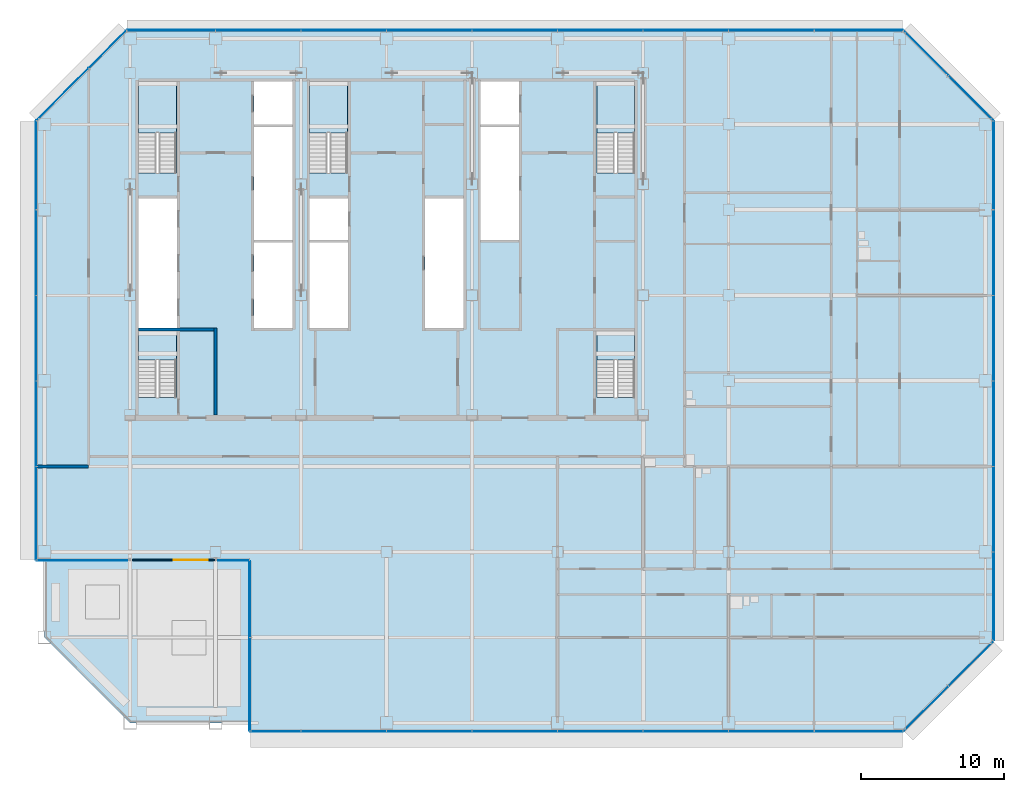
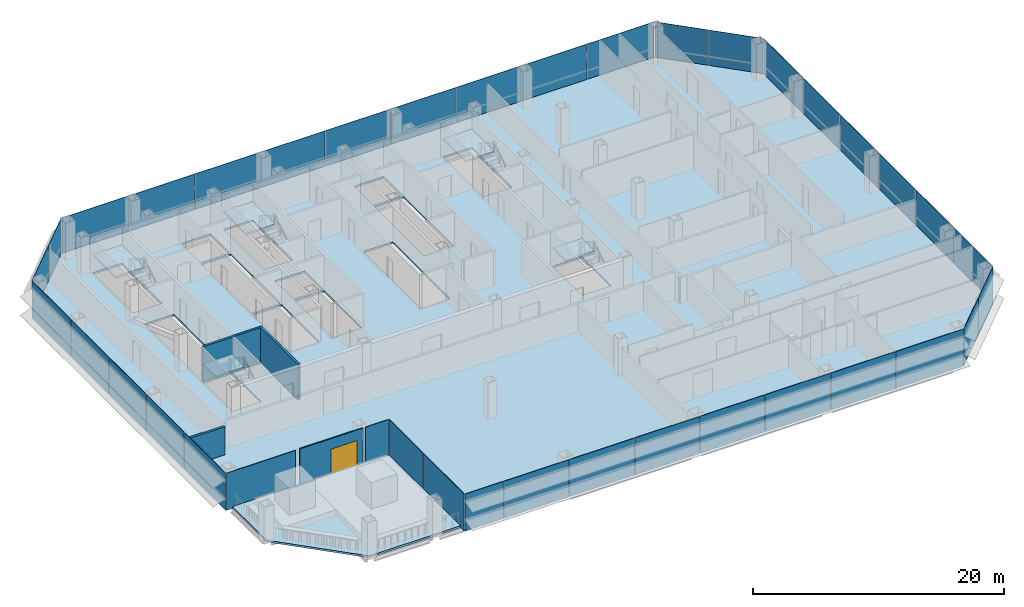
# One storey, part 19 of 28: 38 plates, 7 slabs, 4 walls, 1 door, 1 opening, 14 elements without a shape of their own.
"""IFC4 building model written with IfcOpenShell, lengths in metres."""

import ifcopenshell
import ifcopenshell.guid

model = None  # the IFC model being written
_history = None  # IfcOwnerHistory: only IFC2X3 demands one
_inside = {}  # id of a spatial element -> (the spatial element, [elements in it])
_under = {}  # id of a project, library or spatial element -> (it, [spatial elements below it])
_declared = {}  # id of a project -> (the project, [libraries it declares])
_typed = {}  # id of a type object -> (the type object, [elements of that type])
_made_of = {}  # id of a material, layer set ... -> (it, [elements and type objects made of it])


def new_model(schema):
    """Start an empty IFC model of exactly this schema.

    Asked for "IFC4X3", IfcOpenShell would pick the latest addendum, in which some entities
    have other attributes; the version numbers below select the first issue.
    IFC2X3 requires an IfcOwnerHistory on every rooted entity: one is made here for all.
    """
    global model, _history
    if schema == "IFC4X3":
        model = ifcopenshell.file(schema_version=(4, 3, 0, 0))
    else:
        model = ifcopenshell.file(schema=schema)
    _inside.clear()
    _under.clear()
    _declared.clear()
    _typed.clear()
    _made_of.clear()
    _history = None
    if model.schema == "IFC2X3":
        org = make("IfcOrganization", Name="unknown")
        user = make(
            "IfcPersonAndOrganization",
            ThePerson=make("IfcPerson", FamilyName="unknown"),
            TheOrganization=org,
        )
        app = make(
            "IfcApplication",
            ApplicationDeveloper=org,
            Version="unknown",
            ApplicationFullName="unknown",
            ApplicationIdentifier="unknown",
        )
        _history = make(
            "IfcOwnerHistory",
            OwningUser=user,
            OwningApplication=app,
            ChangeAction="ADDED",
            CreationDate=0,
        )
    return model


def make(cls, **values):
    """One entity of the class cls with the attributes given. An attribute that is None is left unset."""
    return model.create_entity(
        cls, **{name: value for name, value in values.items() if value is not None}
    )


def rooted(cls, **values):
    """An entity with a GlobalId (a new one), such as an element, a storey or a relation."""
    return make(cls, GlobalId=ifcopenshell.guid.new(), OwnerHistory=_history, **values)


def si_unit(unit_type, name, prefix=None):
    """IfcSIUnit, for example si_unit("LENGTHUNIT", "METRE", prefix="MILLI")."""
    return make("IfcSIUnit", UnitType=unit_type, Prefix=prefix, Name=name)


def assignment(units):
    """IfcUnitAssignment: the units of a project."""
    return None if units is None else make("IfcUnitAssignment", Units=units)


def point(xyz):
    """IfcCartesianPoint."""
    return None if xyz is None else make("IfcCartesianPoint", Coordinates=xyz)


def direction(xyz):
    """IfcDirection."""
    return None if xyz is None else make("IfcDirection", DirectionRatios=xyz)


def frame(location, z_axis=None, x_axis=None):
    """IfcAxis2Placement3D, a coordinate frame: its origin and axes. An axis left out is left unset."""
    return make(
        "IfcAxis2Placement3D",
        Location=point(location),
        Axis=direction(z_axis),
        RefDirection=direction(x_axis),
    )


def frame_2d(location, x_axis=None):
    """IfcAxis2Placement2D, a coordinate frame in the plane: its origin and x axis."""
    return make(
        "IfcAxis2Placement2D", Location=point(location), RefDirection=direction(x_axis)
    )


def origin():
    """The frame at (0, 0, 0) with its axes left unset."""
    return frame((0.0, 0.0, 0.0))


def origin_2d():
    """The frame at (0, 0) in the plane with its x axis left unset."""
    return frame_2d((0.0, 0.0))


def place(relative_to, where):
    """IfcLocalPlacement: puts the frame where relative to a parent placement (None: the world)."""
    return make(
        "IfcLocalPlacement", PlacementRelTo=relative_to, RelativePlacement=where
    )


def context(
    kind, dimensions, precision=None, world=None, true_north=None, identifier=None
):
    """IfcGeometricRepresentationContext, for example the 3D "Model" context."""
    return make(
        "IfcGeometricRepresentationContext",
        ContextIdentifier=identifier,
        ContextType=kind,
        CoordinateSpaceDimension=dimensions,
        Precision=precision,
        WorldCoordinateSystem=world,
        TrueNorth=true_north,
    )


def subcontext(parent, identifier, kind, view, scale=None):
    """IfcGeometricRepresentationSubContext, for example "Body" below "Model"."""
    return make(
        "IfcGeometricRepresentationSubContext",
        ContextIdentifier=identifier,
        ContextType=kind,
        ParentContext=parent,
        TargetScale=scale,
        TargetView=view,
    )


def project(units=None, contexts=None):
    """IfcProject with its units and contexts."""
    return rooted(
        "IfcProject",
        Name="project",
        RepresentationContexts=contexts,
        UnitsInContext=assignment(units),
    )


def spatial(cls, under=None, at=None, **own):
    """A site, building, storey or space (cls), placed at a placement, below another one or the project."""
    s = rooted(cls, ObjectPlacement=at, **own)
    if under is not None:
        _under.setdefault(under.id(), (under, []))[1].append(s)
    return s


def polyline(points):
    """IfcPolyline through the points."""
    return make("IfcPolyline", Points=[point(p) for p in points])


def profile(cls, at=None, kind="AREA", **sizes):
    """A parametric profile (cls). Its sizes go by their IFC names, for example OverallWidth=200.0."""
    return make(cls, ProfileType=kind, Position=at, **sizes)


def rectangle(**sizes):
    """IfcRectangleProfileDef."""
    return profile("IfcRectangleProfileDef", **sizes)


def outline(outer, holes=None, kind="AREA"):
    """IfcArbitraryClosedProfileDef: a profile drawn as a closed curve; with holes, ...WithVoids."""
    if holes is None:
        return make("IfcArbitraryClosedProfileDef", ProfileType=kind, OuterCurve=outer)
    return make(
        "IfcArbitraryProfileDefWithVoids",
        ProfileType=kind,
        OuterCurve=outer,
        InnerCurves=holes,
    )


def extrude(swept, where, along, depth):
    """IfcExtrudedAreaSolid: the profile swept, set in the frame where, extruded along a direction by depth."""
    return make(
        "IfcExtrudedAreaSolid",
        SweptArea=swept,
        Position=where,
        ExtrudedDirection=direction(along),
        Depth=depth,
    )


def shape(context_of_items, identifier, shape_type, items):
    """IfcShapeRepresentation: the items that make up one representation, for example the "Body"."""
    return make(
        "IfcShapeRepresentation",
        ContextOfItems=context_of_items,
        RepresentationIdentifier=identifier,
        RepresentationType=shape_type,
        Items=items,
    )


def material(Name=None, Category=None):
    """IfcMaterial."""
    return make("IfcMaterial", Name=Name, Category=Category)


def layer(
    of_material, thickness, ventilated=None, Name=None, Category=None, Priority=None
):
    """IfcMaterialLayer: one layer of a wall or slab, of a material (None: an air gap)."""
    return make(
        "IfcMaterialLayer",
        Material=of_material,
        LayerThickness=thickness,
        IsVentilated=ventilated,
        Name=Name,
        Category=Category,
        Priority=Priority,
    )


def layer_set(layers, Name=None):
    """IfcMaterialLayerSet."""
    return make("IfcMaterialLayerSet", MaterialLayers=layers, LayerSetName=Name)


def made_of(thing, what):
    """Note that an element or type object is made of a material, layer set ...; save() writes the relation."""
    if what is not None:
        _made_of.setdefault(what.id(), (what, []))[1].append(thing)
    return thing


def type_object(cls, material=None, **own):
    """A type object (cls), such as IfcWallType, which elements share."""
    return made_of(rooted(cls, **own), material)


def element(
    cls,
    number,
    at=None,
    inside=None,
    cuts=None,
    type_object=None,
    material=None,
    context=None,
    identifier="Body",
    shape_type=None,
    held_by="IfcProductDefinitionShape",
    body=None,
    shapes=None,
    **own,
):
    """One element of the class cls, such as IfcWall. Its Tag is "e" and its number.

    at: its placement. inside: the storey or other place that contains it. cuts: it is an
    opening in that element (IfcRelVoidsElement). A single representation is given by context,
    identifier, shape_type and body (its items); several are given by shapes. held_by: the class
    of the entity that holds the representations. save() writes the other relations.
    """
    e = rooted(cls, Tag="e%d" % number, ObjectPlacement=at, **own)
    if body is not None:
        shapes = [shape(context, identifier, shape_type, body)]
    if shapes is not None:
        e.Representation = make(held_by, Representations=shapes)
    if inside is not None:
        _inside.setdefault(inside.id(), (inside, []))[1].append(e)
    if cuts is not None:
        rooted(
            "IfcRelVoidsElement", RelatingBuildingElement=cuts, RelatedOpeningElement=e
        )
    if type_object is not None:
        _typed.setdefault(type_object.id(), (type_object, []))[1].append(e)
    return made_of(e, material)


def fill(opening, filler):
    """IfcRelFillsElement: the door or window that sits in an opening."""
    return rooted(
        "IfcRelFillsElement",
        RelatingOpeningElement=opening,
        RelatedBuildingElement=filler,
    )


def aggregate(whole, parts):
    """IfcRelAggregates: a whole, such as a stair, and the parts it consists of."""
    return rooted("IfcRelAggregates", RelatingObject=whole, RelatedObjects=parts)


def save(model, path):
    """Write the relations noted so far, then the file.

    IfcRelAggregates (storeys below a building ...), IfcRelContainedInSpatialStructure (elements
    in a storey), IfcRelDefinesByType, IfcRelAssociatesMaterial and IfcRelDeclares: one each for
    every whole, place, type object, material and project.
    """
    for whole, parts in _under.values():
        aggregate(whole, parts)
    for where, things in _inside.values():
        rooted(
            "IfcRelContainedInSpatialStructure",
            RelatedElements=things,
            RelatingStructure=where,
        )
    for kind, things in _typed.values():
        rooted("IfcRelDefinesByType", RelatedObjects=things, RelatingType=kind)
    for what, things in _made_of.values():
        rooted("IfcRelAssociatesMaterial", RelatedObjects=things, RelatingMaterial=what)
    for by, libraries in _declared.values():
        rooted("IfcRelDeclares", RelatingContext=by, RelatedDefinitions=libraries)
    model.write(path)


model = new_model("IFC4")

# Units and contexts
model_context = context("Model", 3, precision=1e-05, world=origin(), true_north=direction((0.0, 1.0)))
body_context = subcontext(model_context, "Body", "Model", "MODEL_VIEW")
ifc_project = project(units=[si_unit("LENGTHUNIT", "METRE"), si_unit("AREAUNIT", "SQUARE_METRE"), si_unit("VOLUMEUNIT", "CUBIC_METRE"), si_unit("PLANEANGLEUNIT", "RADIAN"), si_unit("MASSUNIT", "GRAM", prefix="KILO")], contexts=[model_context])

# Site, building, storey
site_placement = place(None, origin())
site = spatial("IfcSite", under=ifc_project, at=site_placement, CompositionType="ELEMENT")
building_placement = place(site_placement, origin())
building = spatial("IfcBuilding", under=site, at=building_placement, Name="Sorahane Residences", CompositionType="ELEMENT")
storey_placement = place(building_placement, frame((0.0, 0.0, 60.60009765625)))
storey = spatial("IfcBuildingStorey", under=building, at=storey_placement, Name="L11", CompositionType="ELEMENT", Elevation=60.60009765625)

# Slab
ifc_material_1 = material(Name="Concrete C35", Category="concrete")
ifc_layer_1 = layer(ifc_material_1, 0.179931640625)
ifc_layer_set_1 = layer_set([ifc_layer_1], Name="Composite floor slab 180 mm Concrete C35")
slab_type_1 = type_object("IfcSlabType", Name="Composite floor slab 180 mm Concrete C35", PredefinedType="FLOOR", material=ifc_layer_set_1)
slab_1_placement = place(storey_placement, frame((0.0, 0.0, -0.18017578125)))
element("IfcSlab", 1, at=slab_1_placement, inside=storey, type_object=slab_type_1, Name="Slab L11", PredefinedType="FLOOR", context=body_context, shape_type="SweptSolid", body=[
    extrude(outline(polyline([(-0.60009765625, 42.24853515625), (5.75146484375, 48.60009765625), (60.24853515625, 48.60009765625), (66.60009765625, 42.24853515625), (66.60009765625, 5.75146484375), (60.24853515625, -0.60009765625), (14.39990234375, -0.60009765625), (14.39990234375, 11.39990234375), (-0.60009765625, 11.39990234375), (-0.60009765625, 42.24853515625)]), holes=[polyline([(18.60009765625, 27.699951171875), (21.300048828125, 27.699951171875), (21.300048828125, 33.699951171875), (18.60009765625, 33.699951171875), (18.60009765625, 27.699951171875)]), polyline([(30.60009765625, 42.0), (33.300048828125, 42.0), (33.300048828125, 45.0), (30.60009765625, 45.0), (30.60009765625, 42.0)]), polyline([(14.699951171875, 27.699951171875), (17.39990234375, 27.699951171875), (17.39990234375, 33.699951171875), (14.699951171875, 33.699951171875), (14.699951171875, 27.699951171875)]), polyline([(14.699951171875, 42.0), (17.39990234375, 42.0), (17.39990234375, 45.0), (14.699951171875, 45.0), (14.699951171875, 42.0)]), polyline([(6.60009765625, 27.699951171875), (9.300048828125, 27.699951171875), (9.300048828125, 36.800048828125), (6.60009765625, 36.800048828125), (6.60009765625, 27.699951171875)]), polyline([(9.25, 38.60009765625), (9.25, 45.0), (6.60009765625, 45.0), (6.60009765625, 38.60009765625), (9.25, 38.60009765625)]), polyline([(41.39990234375, 38.60009765625), (41.39990234375, 45.0), (38.75, 45.0), (38.75, 38.60009765625), (41.39990234375, 38.60009765625)]), polyline([(21.25, 38.60009765625), (21.25, 45.0), (18.60009765625, 45.0), (18.60009765625, 38.60009765625), (21.25, 38.60009765625)]), polyline([(9.25, 22.85009765625), (9.25, 27.5), (6.60009765625, 27.5), (6.60009765625, 22.85009765625), (9.25, 22.85009765625)]), polyline([(41.39990234375, 22.85009765625), (41.39990234375, 27.5), (38.75, 27.5), (38.75, 22.85009765625), (41.39990234375, 22.85009765625)]), polyline([(14.699951171875, 33.89990234375), (17.39990234375, 33.89990234375), (17.39990234375, 41.800048828125), (14.699951171875, 41.800048828125), (14.699951171875, 33.89990234375)]), polyline([(30.60009765625, 33.89990234375), (33.300048828125, 33.89990234375), (33.300048828125, 41.800048828125), (30.60009765625, 41.800048828125), (30.60009765625, 33.89990234375)]), polyline([(18.60009765625, 33.89990234375), (21.300048828125, 33.89990234375), (21.300048828125, 36.800048828125), (18.60009765625, 36.800048828125), (18.60009765625, 33.89990234375)]), polyline([(26.699951171875, 27.699951171875), (29.39990234375, 27.699951171875), (29.39990234375, 36.800048828125), (26.699951171875, 36.800048828125), (26.699951171875, 27.699951171875)])]), origin(), (0.0, 0.0, 1.0), 0.18017578125),
])

# Curtain wall, plates
ifc_material_2 = material(Name="Dark low-e glass and black anodised aluminium", Category="aluminium")
curtain_wall_type_1 = type_object("IfcCurtainWallType", Name="Curtain wall CW-1 Typical unitised wall", PredefinedType="NOTDEFINED", material=ifc_material_2)
curtain_wall_1_placement = place(storey_placement, origin())
curtain_wall_1 = element("IfcCurtainWall", 2, at=curtain_wall_1_placement, inside=storey, type_object=curtain_wall_type_1, Name="CW-1 curtain wall L11 W1", PredefinedType="NOTDEFINED")
ifc_material_3 = material(Name="Dark low-e glass with black ceramic frit", Category="glass")
ifc_layer_2 = layer(ifc_material_3, 0.0400390625)
ifc_layer_set_2 = layer_set([ifc_layer_2], Name="Curtain wall glass panel dark low-e with black frit spandrel band")
plate_type = type_object("IfcPlateType", Name="Curtain wall glass panel dark low-e with black frit spandrel band", PredefinedType="CURTAIN_PANEL", material=ifc_layer_set_2)
plate_1_placement = place(storey_placement, frame((-0.60009765625, 39.11181640625, -0.18017578125), z_axis=(0.0, 0.0, 1.0), x_axis=(0.0, -1.0, 0.0)))
plate_1 = element("IfcPlate", 3, at=plate_1_placement, type_object=plate_type, Name="CW-1 glass panel L11 W1.1", PredefinedType="CURTAIN_PANEL", context=body_context, shape_type="SweptSolid", body=[
    extrude(rectangle(XDim=6.173583984375, YDim=0.0400390625, at=origin_2d()), origin(), (0.0, 0.0, 1.0), 3.60009765625),
])
plate_2_placement = place(storey_placement, frame((-0.60009765625, 33.0, -0.18017578125), z_axis=(0.0, 0.0, 1.0), x_axis=(0.0, -1.0, 0.0)))
plate_2 = element("IfcPlate", 4, at=plate_2_placement, type_object=plate_type, Name="CW-1 glass panel L11 W1.2", PredefinedType="CURTAIN_PANEL", context=body_context, shape_type="SweptSolid", body=[
    extrude(rectangle(XDim=5.949951171875, YDim=0.0400390625, at=origin_2d()), origin(), (0.0, 0.0, 1.0), 3.60009765625),
])
plate_3_placement = place(storey_placement, frame((-0.60009765625, 27.0, -0.18017578125), z_axis=(0.0, 0.0, 1.0), x_axis=(0.0, -1.0, 0.0)))
plate_3 = element("IfcPlate", 5, at=plate_3_placement, type_object=plate_type, Name="CW-1 glass panel L11 W1.3", PredefinedType="CURTAIN_PANEL", context=body_context, shape_type="SweptSolid", body=[
    extrude(rectangle(XDim=5.949951171875, YDim=0.0400390625, at=origin_2d()), origin(), (0.0, 0.0, 1.0), 3.60009765625),
])
plate_4_placement = place(storey_placement, frame((-0.60009765625, 21.0, -0.18017578125), z_axis=(0.0, 0.0, 1.0), x_axis=(0.0, -1.0, 0.0)))
plate_4 = element("IfcPlate", 6, at=plate_4_placement, type_object=plate_type, Name="CW-1 glass panel L11 W1.4", PredefinedType="CURTAIN_PANEL", context=body_context, shape_type="SweptSolid", body=[
    extrude(rectangle(XDim=5.949951171875, YDim=0.0400390625, at=origin_2d()), origin(), (0.0, 0.0, 1.0), 3.60009765625),
])
plate_5_placement = place(storey_placement, frame((-0.60009765625, 14.71240234375, -0.18017578125), z_axis=(0.0, 0.0, 1.0), x_axis=(0.0, -1.0, 0.0)))
plate_5 = element("IfcPlate", 7, at=plate_5_placement, type_object=plate_type, Name="CW-1 glass panel L11 W1.5", PredefinedType="CURTAIN_PANEL", context=body_context, shape_type="SweptSolid", body=[
    extrude(rectangle(XDim=6.52490234375, YDim=0.0400390625, at=origin_2d()), origin(), (0.0, 0.0, 1.0), 3.60009765625),
])
aggregate(curtain_wall_1, [plate_1, plate_2, plate_3, plate_4, plate_5])

curtain_wall_2_placement = place(storey_placement, origin())
curtain_wall_2 = element("IfcCurtainWall", 8, at=curtain_wall_2_placement, inside=storey, type_object=curtain_wall_type_1, Name="CW-1 curtain wall L11 S1", PredefinedType="NOTDEFINED")
plate_6_placement = place(storey_placement, frame((2.625, 11.39990234375, -0.18017578125), z_axis=(0.0, 0.0, 1.0), x_axis=(1.0, 0.0, 0.0)))
plate_6 = element("IfcPlate", 9, at=plate_6_placement, type_object=plate_type, Name="CW-1 glass panel L11 S1.1", PredefinedType="CURTAIN_PANEL", context=body_context, shape_type="SweptSolid", body=[
    extrude(rectangle(XDim=6.35009765625, YDim=0.0400390625, at=origin_2d()), origin(), (0.0, 0.0, 1.0), 3.60009765625),
])
plate_7_placement = place(storey_placement, frame((13.27490234375, 11.39990234375, -0.18017578125), z_axis=(0.0, 0.0, 1.0), x_axis=(1.0, 0.0, 0.0)))
plate_7 = element("IfcPlate", 10, at=plate_7_placement, type_object=plate_type, Name="CW-1 glass panel L11 S1.3", PredefinedType="CURTAIN_PANEL", context=body_context, shape_type="SweptSolid", body=[
    extrude(rectangle(XDim=2.14990234375, YDim=0.0400390625, at=origin_2d()), origin(), (0.0, 0.0, 1.0), 3.60009765625),
])
aggregate(curtain_wall_2, [plate_6, plate_7])

curtain_wall_3_placement = place(storey_placement, origin())
curtain_wall_3 = element("IfcCurtainWall", 11, at=curtain_wall_3_placement, inside=storey, type_object=curtain_wall_type_1, Name="CW-1 curtain wall L11 W2", PredefinedType="NOTDEFINED")
plate_8_placement = place(storey_placement, frame((14.39990234375, 8.6875, -0.18017578125), z_axis=(0.0, 0.0, 1.0), x_axis=(0.0, -1.0, 0.0)))
plate_8 = element("IfcPlate", 12, at=plate_8_placement, type_object=plate_type, Name="CW-1 glass panel L11 W2.1", PredefinedType="CURTAIN_PANEL", context=body_context, shape_type="SweptSolid", body=[
    extrude(rectangle(XDim=5.324951171875, YDim=0.0400390625, at=origin_2d()), origin(), (0.0, 0.0, 1.0), 3.60009765625),
])
plate_9_placement = place(storey_placement, frame((14.39990234375, 2.71240234375, -0.18017578125), z_axis=(0.0, 0.0, 1.0), x_axis=(0.0, -1.0, 0.0)))
plate_9 = element("IfcPlate", 13, at=plate_9_placement, type_object=plate_type, Name="CW-1 glass panel L11 W2.2", PredefinedType="CURTAIN_PANEL", context=body_context, shape_type="SweptSolid", body=[
    extrude(rectangle(XDim=6.52490234375, YDim=0.0400390625, at=origin_2d()), origin(), (0.0, 0.0, 1.0), 3.60009765625),
])
aggregate(curtain_wall_3, [plate_8, plate_9])

curtain_wall_4_placement = place(storey_placement, origin())
curtain_wall_4 = element("IfcCurtainWall", 14, at=curtain_wall_4_placement, inside=storey, type_object=curtain_wall_type_1, Name="CW-1 curtain wall L11 S2", PredefinedType="NOTDEFINED")
plate_10_placement = place(storey_placement, frame((16.21240234375, -0.60009765625, -0.18017578125), z_axis=(0.0, 0.0, 1.0), x_axis=(1.0, 0.0, 0.0)))
plate_10 = element("IfcPlate", 15, at=plate_10_placement, type_object=plate_type, Name="CW-1 glass panel L11 S2.1", PredefinedType="CURTAIN_PANEL", context=body_context, shape_type="SweptSolid", body=[
    extrude(rectangle(XDim=3.52490234375, YDim=0.0400390625, at=origin_2d()), origin(), (0.0, 0.0, 1.0), 3.60009765625),
])
plate_11_placement = place(storey_placement, frame((21.0, -0.60009765625, -0.18017578125), z_axis=(0.0, 0.0, 1.0), x_axis=(1.0, 0.0, 0.0)))
plate_11 = element("IfcPlate", 16, at=plate_11_placement, type_object=plate_type, Name="CW-1 glass panel L11 S2.2", PredefinedType="CURTAIN_PANEL", context=body_context, shape_type="SweptSolid", body=[
    extrude(rectangle(XDim=5.949951171875, YDim=0.0400390625, at=origin_2d()), origin(), (0.0, 0.0, 1.0), 3.60009765625),
])
plate_12_placement = place(storey_placement, frame((27.0, -0.60009765625, -0.18017578125), z_axis=(0.0, 0.0, 1.0), x_axis=(1.0, 0.0, 0.0)))
plate_12 = element("IfcPlate", 17, at=plate_12_placement, type_object=plate_type, Name="CW-1 glass panel L11 S2.3", PredefinedType="CURTAIN_PANEL", context=body_context, shape_type="SweptSolid", body=[
    extrude(rectangle(XDim=5.949951171875, YDim=0.0400390625, at=origin_2d()), origin(), (0.0, 0.0, 1.0), 3.60009765625),
])
plate_13_placement = place(storey_placement, frame((33.0, -0.60009765625, -0.18017578125), z_axis=(0.0, 0.0, 1.0), x_axis=(1.0, 0.0, 0.0)))
plate_13 = element("IfcPlate", 18, at=plate_13_placement, type_object=plate_type, Name="CW-1 glass panel L11 S2.4", PredefinedType="CURTAIN_PANEL", context=body_context, shape_type="SweptSolid", body=[
    extrude(rectangle(XDim=5.949951171875, YDim=0.0400390625, at=origin_2d()), origin(), (0.0, 0.0, 1.0), 3.60009765625),
])
plate_14_placement = place(storey_placement, frame((39.0, -0.60009765625, -0.18017578125), z_axis=(0.0, 0.0, 1.0), x_axis=(1.0, 0.0, 0.0)))
plate_14 = element("IfcPlate", 19, at=plate_14_placement, type_object=plate_type, Name="CW-1 glass panel L11 S2.5", PredefinedType="CURTAIN_PANEL", context=body_context, shape_type="SweptSolid", body=[
    extrude(rectangle(XDim=5.949951171875, YDim=0.0400390625, at=origin_2d()), origin(), (0.0, 0.0, 1.0), 3.60009765625),
])
plate_15_placement = place(storey_placement, frame((45.0, -0.60009765625, -0.18017578125), z_axis=(0.0, 0.0, 1.0), x_axis=(1.0, 0.0, 0.0)))
plate_15 = element("IfcPlate", 20, at=plate_15_placement, type_object=plate_type, Name="CW-1 glass panel L11 S2.6", PredefinedType="CURTAIN_PANEL", context=body_context, shape_type="SweptSolid", body=[
    extrude(rectangle(XDim=5.949951171875, YDim=0.0400390625, at=origin_2d()), origin(), (0.0, 0.0, 1.0), 3.60009765625),
])
plate_16_placement = place(storey_placement, frame((51.0, -0.60009765625, -0.18017578125), z_axis=(0.0, 0.0, 1.0), x_axis=(1.0, 0.0, 0.0)))
plate_16 = element("IfcPlate", 21, at=plate_16_placement, type_object=plate_type, Name="CW-1 glass panel L11 S2.7", PredefinedType="CURTAIN_PANEL", context=body_context, shape_type="SweptSolid", body=[
    extrude(rectangle(XDim=5.949951171875, YDim=0.0400390625, at=origin_2d()), origin(), (0.0, 0.0, 1.0), 3.60009765625),
])
plate_17_placement = place(storey_placement, frame((57.11181640625, -0.60009765625, -0.18017578125), z_axis=(0.0, 0.0, 1.0), x_axis=(1.0, 0.0, 0.0)))
plate_17 = element("IfcPlate", 22, at=plate_17_placement, type_object=plate_type, Name="CW-1 glass panel L11 S2.8", PredefinedType="CURTAIN_PANEL", context=body_context, shape_type="SweptSolid", body=[
    extrude(rectangle(XDim=6.173583984375, YDim=0.0400390625, at=origin_2d()), origin(), (0.0, 0.0, 1.0), 3.60009765625),
])
aggregate(curtain_wall_4, [plate_10, plate_11, plate_12, plate_13, plate_14, plate_15, plate_16, plate_17])

ifc_material_4 = material(Name="Dark low-e glass and black anodised aluminium", Category="aluminium")
curtain_wall_type_2 = type_object("IfcCurtainWallType", Name="Curtain wall CW-2 Chamfer unitised wall", PredefinedType="NOTDEFINED", material=ifc_material_4)
curtain_wall_5_placement = place(storey_placement, origin())
curtain_wall_5 = element("IfcCurtainWall", 23, at=curtain_wall_5_placement, inside=storey, type_object=curtain_wall_type_2, Name="CW-2 curtain wall L11 SE1", PredefinedType="NOTDEFINED")
plate_18_placement = place(storey_placement, frame((61.84521484375, 0.996826171875, -0.18017578125), z_axis=(0.0, 0.0, 1.0), x_axis=(0.707106781187, 0.707106781187, 0.0)))
plate_18 = element("IfcPlate", 24, at=plate_18_placement, type_object=plate_type, Name="CW-2 glass panel L11 SE1.1", PredefinedType="CURTAIN_PANEL", context=body_context, shape_type="SweptSolid", body=[
    extrude(rectangle(XDim=4.416259765625, YDim=0.0400390625, at=origin_2d()), origin(), (0.0, 0.0, 1.0), 3.60009765625),
])
plate_19_placement = place(storey_placement, frame((65.003173828125, 4.15478515625, -0.18017578125), z_axis=(0.0, 0.0, 1.0), x_axis=(0.707106781187, 0.707106781187, 0.0)))
plate_19 = element("IfcPlate", 25, at=plate_19_placement, type_object=plate_type, Name="CW-2 glass panel L11 SE1.2", PredefinedType="CURTAIN_PANEL", context=body_context, shape_type="SweptSolid", body=[
    extrude(rectangle(XDim=4.416259765625, YDim=0.0400390625, at=origin_2d()), origin(), (0.0, 0.0, 1.0), 3.60009765625),
])
aggregate(curtain_wall_5, [plate_18, plate_19])

curtain_wall_6_placement = place(storey_placement, origin())
curtain_wall_6 = element("IfcCurtainWall", 26, at=curtain_wall_6_placement, inside=storey, type_object=curtain_wall_type_1, Name="CW-1 curtain wall L11 E1", PredefinedType="NOTDEFINED")
plate_20_placement = place(storey_placement, frame((66.60009765625, 8.88818359375, -0.18017578125), z_axis=(0.0, 0.0, 1.0), x_axis=(0.0, 1.0, 0.0)))
plate_20 = element("IfcPlate", 27, at=plate_20_placement, type_object=plate_type, Name="CW-1 glass panel L11 E1.1", PredefinedType="CURTAIN_PANEL", context=body_context, shape_type="SweptSolid", body=[
    extrude(rectangle(XDim=6.173583984375, YDim=0.0400390625, at=origin_2d()), origin(), (0.0, 0.0, 1.0), 3.60009765625),
])
plate_21_placement = place(storey_placement, frame((66.60009765625, 15.0, -0.18017578125), z_axis=(0.0, 0.0, 1.0), x_axis=(0.0, 1.0, 0.0)))
plate_21 = element("IfcPlate", 28, at=plate_21_placement, type_object=plate_type, Name="CW-1 glass panel L11 E1.2", PredefinedType="CURTAIN_PANEL", context=body_context, shape_type="SweptSolid", body=[
    extrude(rectangle(XDim=5.949951171875, YDim=0.0400390625, at=origin_2d()), origin(), (0.0, 0.0, 1.0), 3.60009765625),
])
plate_22_placement = place(storey_placement, frame((66.60009765625, 21.0, -0.18017578125), z_axis=(0.0, 0.0, 1.0), x_axis=(0.0, 1.0, 0.0)))
plate_22 = element("IfcPlate", 29, at=plate_22_placement, type_object=plate_type, Name="CW-1 glass panel L11 E1.3", PredefinedType="CURTAIN_PANEL", context=body_context, shape_type="SweptSolid", body=[
    extrude(rectangle(XDim=5.949951171875, YDim=0.0400390625, at=origin_2d()), origin(), (0.0, 0.0, 1.0), 3.60009765625),
])
plate_23_placement = place(storey_placement, frame((66.60009765625, 27.0, -0.18017578125), z_axis=(0.0, 0.0, 1.0), x_axis=(0.0, 1.0, 0.0)))
plate_23 = element("IfcPlate", 30, at=plate_23_placement, type_object=plate_type, Name="CW-1 glass panel L11 E1.4", PredefinedType="CURTAIN_PANEL", context=body_context, shape_type="SweptSolid", body=[
    extrude(rectangle(XDim=5.949951171875, YDim=0.0400390625, at=origin_2d()), origin(), (0.0, 0.0, 1.0), 3.60009765625),
])
plate_24_placement = place(storey_placement, frame((66.60009765625, 33.0, -0.18017578125), z_axis=(0.0, 0.0, 1.0), x_axis=(0.0, 1.0, 0.0)))
plate_24 = element("IfcPlate", 31, at=plate_24_placement, type_object=plate_type, Name="CW-1 glass panel L11 E1.5", PredefinedType="CURTAIN_PANEL", context=body_context, shape_type="SweptSolid", body=[
    extrude(rectangle(XDim=5.949951171875, YDim=0.0400390625, at=origin_2d()), origin(), (0.0, 0.0, 1.0), 3.60009765625),
])
plate_25_placement = place(storey_placement, frame((66.60009765625, 39.11181640625, -0.18017578125), z_axis=(0.0, 0.0, 1.0), x_axis=(0.0, 1.0, 0.0)))
plate_25 = element("IfcPlate", 32, at=plate_25_placement, type_object=plate_type, Name="CW-1 glass panel L11 E1.6", PredefinedType="CURTAIN_PANEL", context=body_context, shape_type="SweptSolid", body=[
    extrude(rectangle(XDim=6.173583984375, YDim=0.0400390625, at=origin_2d()), origin(), (0.0, 0.0, 1.0), 3.60009765625),
])
aggregate(curtain_wall_6, [plate_20, plate_21, plate_22, plate_23, plate_24, plate_25])

curtain_wall_7_placement = place(storey_placement, origin())
curtain_wall_7 = element("IfcCurtainWall", 33, at=curtain_wall_7_placement, inside=storey, type_object=curtain_wall_type_2, Name="CW-2 curtain wall L11 NE1", PredefinedType="NOTDEFINED")
plate_26_placement = place(storey_placement, frame((65.003173828125, 43.84521484375, -0.18017578125), z_axis=(0.0, 0.0, 1.0), x_axis=(-0.707106781187, 0.707106781187, 0.0)))
plate_26 = element("IfcPlate", 34, at=plate_26_placement, type_object=plate_type, Name="CW-2 glass panel L11 NE1.1", PredefinedType="CURTAIN_PANEL", context=body_context, shape_type="SweptSolid", body=[
    extrude(rectangle(XDim=4.416259765625, YDim=0.0400390625, at=origin_2d()), origin(), (0.0, 0.0, 1.0), 3.60009765625),
])
plate_27_placement = place(storey_placement, frame((61.84521484375, 47.003173828125, -0.18017578125), z_axis=(0.0, 0.0, 1.0), x_axis=(-0.707106781187, 0.707106781187, 0.0)))
plate_27 = element("IfcPlate", 35, at=plate_27_placement, type_object=plate_type, Name="CW-2 glass panel L11 NE1.2", PredefinedType="CURTAIN_PANEL", context=body_context, shape_type="SweptSolid", body=[
    extrude(rectangle(XDim=4.416259765625, YDim=0.0400390625, at=origin_2d()), origin(), (0.0, 0.0, 1.0), 3.60009765625),
])
aggregate(curtain_wall_7, [plate_26, plate_27])

curtain_wall_8_placement = place(storey_placement, origin())
curtain_wall_8 = element("IfcCurtainWall", 36, at=curtain_wall_8_placement, inside=storey, type_object=curtain_wall_type_1, Name="CW-1 curtain wall L11 N1", PredefinedType="NOTDEFINED")
plate_28_placement = place(storey_placement, frame((57.11181640625, 48.60009765625, -0.18017578125), z_axis=(0.0, 0.0, 1.0), x_axis=(-1.0, 0.0, 0.0)))
plate_28 = element("IfcPlate", 37, at=plate_28_placement, type_object=plate_type, Name="CW-1 glass panel L11 N1.1", PredefinedType="CURTAIN_PANEL", context=body_context, shape_type="SweptSolid", body=[
    extrude(rectangle(XDim=6.173583984375, YDim=0.0400390625, at=origin_2d()), origin(), (0.0, 0.0, 1.0), 3.60009765625),
])
plate_29_placement = place(storey_placement, frame((51.0, 48.60009765625, -0.18017578125), z_axis=(0.0, 0.0, 1.0), x_axis=(-1.0, 0.0, 0.0)))
plate_29 = element("IfcPlate", 38, at=plate_29_placement, type_object=plate_type, Name="CW-1 glass panel L11 N1.2", PredefinedType="CURTAIN_PANEL", context=body_context, shape_type="SweptSolid", body=[
    extrude(rectangle(XDim=5.949951171875, YDim=0.0400390625, at=origin_2d()), origin(), (0.0, 0.0, 1.0), 3.60009765625),
])
plate_30_placement = place(storey_placement, frame((45.0, 48.60009765625, -0.18017578125), z_axis=(0.0, 0.0, 1.0), x_axis=(-1.0, 0.0, 0.0)))
plate_30 = element("IfcPlate", 39, at=plate_30_placement, type_object=plate_type, Name="CW-1 glass panel L11 N1.3", PredefinedType="CURTAIN_PANEL", context=body_context, shape_type="SweptSolid", body=[
    extrude(rectangle(XDim=5.949951171875, YDim=0.0400390625, at=origin_2d()), origin(), (0.0, 0.0, 1.0), 3.60009765625),
])
plate_31_placement = place(storey_placement, frame((39.0, 48.60009765625, -0.18017578125), z_axis=(0.0, 0.0, 1.0), x_axis=(-1.0, 0.0, 0.0)))
plate_31 = element("IfcPlate", 40, at=plate_31_placement, type_object=plate_type, Name="CW-1 glass panel L11 N1.4", PredefinedType="CURTAIN_PANEL", context=body_context, shape_type="SweptSolid", body=[
    extrude(rectangle(XDim=5.949951171875, YDim=0.0400390625, at=origin_2d()), origin(), (0.0, 0.0, 1.0), 3.60009765625),
])
plate_32_placement = place(storey_placement, frame((33.0, 48.60009765625, -0.18017578125), z_axis=(0.0, 0.0, 1.0), x_axis=(-1.0, 0.0, 0.0)))
plate_32 = element("IfcPlate", 41, at=plate_32_placement, type_object=plate_type, Name="CW-1 glass panel L11 N1.5", PredefinedType="CURTAIN_PANEL", context=body_context, shape_type="SweptSolid", body=[
    extrude(rectangle(XDim=5.949951171875, YDim=0.0400390625, at=origin_2d()), origin(), (0.0, 0.0, 1.0), 3.60009765625),
])
plate_33_placement = place(storey_placement, frame((27.0, 48.60009765625, -0.18017578125), z_axis=(0.0, 0.0, 1.0), x_axis=(-1.0, 0.0, 0.0)))
plate_33 = element("IfcPlate", 42, at=plate_33_placement, type_object=plate_type, Name="CW-1 glass panel L11 N1.6", PredefinedType="CURTAIN_PANEL", context=body_context, shape_type="SweptSolid", body=[
    extrude(rectangle(XDim=5.949951171875, YDim=0.0400390625, at=origin_2d()), origin(), (0.0, 0.0, 1.0), 3.60009765625),
])
plate_34_placement = place(storey_placement, frame((21.0, 48.60009765625, -0.18017578125), z_axis=(0.0, 0.0, 1.0), x_axis=(-1.0, 0.0, 0.0)))
plate_34 = element("IfcPlate", 43, at=plate_34_placement, type_object=plate_type, Name="CW-1 glass panel L11 N1.7", PredefinedType="CURTAIN_PANEL", context=body_context, shape_type="SweptSolid", body=[
    extrude(rectangle(XDim=5.949951171875, YDim=0.0400390625, at=origin_2d()), origin(), (0.0, 0.0, 1.0), 3.60009765625),
])
plate_35_placement = place(storey_placement, frame((15.0, 48.60009765625, -0.18017578125), z_axis=(0.0, 0.0, 1.0), x_axis=(-1.0, 0.0, 0.0)))
plate_35 = element("IfcPlate", 44, at=plate_35_placement, type_object=plate_type, Name="CW-1 glass panel L11 N1.8", PredefinedType="CURTAIN_PANEL", context=body_context, shape_type="SweptSolid", body=[
    extrude(rectangle(XDim=5.949951171875, YDim=0.0400390625, at=origin_2d()), origin(), (0.0, 0.0, 1.0), 3.60009765625),
])
plate_36_placement = place(storey_placement, frame((8.88818359375, 48.60009765625, -0.18017578125), z_axis=(0.0, 0.0, 1.0), x_axis=(-1.0, 0.0, 0.0)))
plate_36 = element("IfcPlate", 45, at=plate_36_placement, type_object=plate_type, Name="CW-1 glass panel L11 N1.9", PredefinedType="CURTAIN_PANEL", context=body_context, shape_type="SweptSolid", body=[
    extrude(rectangle(XDim=6.173583984375, YDim=0.0400390625, at=origin_2d()), origin(), (0.0, 0.0, 1.0), 3.60009765625),
])
aggregate(curtain_wall_8, [plate_28, plate_29, plate_30, plate_31, plate_32, plate_33, plate_34, plate_35, plate_36])

curtain_wall_9_placement = place(storey_placement, origin())
curtain_wall_9 = element("IfcCurtainWall", 46, at=curtain_wall_9_placement, inside=storey, type_object=curtain_wall_type_2, Name="CW-2 curtain wall L11 NW1", PredefinedType="NOTDEFINED")
plate_37_placement = place(storey_placement, frame((4.4169921875, 47.265625, -0.18017578125), z_axis=(0.0, 0.0, 1.0), x_axis=(-0.707106781187, -0.707106781187, 0.0)))
plate_37 = element("IfcPlate", 47, at=plate_37_placement, type_object=plate_type, Name="CW-2 glass panel L11 NW1.1", PredefinedType="CURTAIN_PANEL", context=body_context, shape_type="SweptSolid", body=[
    extrude(rectangle(XDim=3.67431640625, YDim=0.0400390625, at=origin_2d()), origin(), (0.0, 0.0, 1.0), 3.60009765625),
])
plate_38_placement = place(storey_placement, frame((1.259033203125, 44.107421875, -0.18017578125), z_axis=(0.0, 0.0, 1.0), x_axis=(-0.707106781187, -0.707106781187, 0.0)))
plate_38 = element("IfcPlate", 48, at=plate_38_placement, type_object=plate_type, Name="CW-2 glass panel L11 NW1.2", PredefinedType="CURTAIN_PANEL", context=body_context, shape_type="SweptSolid", body=[
    extrude(rectangle(XDim=5.157958984375, YDim=0.0400390625, at=origin_2d()), origin(), (0.0, 0.0, 1.0), 3.60009765625),
])
aggregate(curtain_wall_9, [plate_37, plate_38])

# Stair, slab
ifc_material_5 = material(Name="Concrete C40", Category="concrete")
stair_type = type_object("IfcStairType", Name="Dog-leg stair 1250 Concrete C40", PredefinedType="HALF_TURN_STAIR", material=ifc_material_5)
stair_1_placement = place(storey_placement, origin())
stair_1 = element("IfcStair", 49, at=stair_1_placement, inside=storey, type_object=stair_type, Name="L11 Stair S1", PredefinedType="HALF_TURN_STAIR")
ifc_material_6 = material(Name="Concrete C40", Category="concrete")
ifc_layer_3 = layer(ifc_material_6, 0.199951171875)
ifc_layer_set_3 = layer_set([ifc_layer_3], Name="Stair landing 200 Concrete C40")
slab_type_2 = type_object("IfcSlabType", Name="Stair landing 200 Concrete C40", PredefinedType="LANDING", material=ifc_layer_set_3)
slab_2_placement = place(storey_placement, frame((0.0, 0.0, 1.599853515625)))
slab_2 = element("IfcSlab", 50, at=slab_2_placement, type_object=slab_type_2, Name="S1 landing 1", PredefinedType="LANDING", context=body_context, shape_type="SweptSolid", body=[
    extrude(outline(polyline([(9.25, 41.39990234375), (9.25, 45.0), (6.60009765625, 45.0), (6.60009765625, 41.39990234375), (9.25, 41.39990234375)])), origin(), (0.0, 0.0, 1.0), 0.199951171875),
])
aggregate(stair_1, [slab_2])

stair_2_placement = place(storey_placement, origin())
stair_2 = element("IfcStair", 51, at=stair_2_placement, inside=storey, type_object=stair_type, Name="L11 Stair S2", PredefinedType="HALF_TURN_STAIR")
slab_3_placement = place(storey_placement, frame((0.0, 0.0, 1.599853515625)))
slab_3 = element("IfcSlab", 52, at=slab_3_placement, type_object=slab_type_2, Name="S2 landing 1", PredefinedType="LANDING", context=body_context, shape_type="SweptSolid", body=[
    extrude(outline(polyline([(41.39990234375, 41.39990234375), (41.39990234375, 45.0), (38.75, 45.0), (38.75, 41.39990234375), (41.39990234375, 41.39990234375)])), origin(), (0.0, 0.0, 1.0), 0.199951171875),
])
aggregate(stair_2, [slab_3])

stair_3_placement = place(storey_placement, origin())
stair_3 = element("IfcStair", 53, at=stair_3_placement, inside=storey, type_object=stair_type, Name="L11 Stair S3", PredefinedType="HALF_TURN_STAIR")
slab_4_placement = place(storey_placement, frame((0.0, 0.0, 1.599853515625)))
slab_4 = element("IfcSlab", 54, at=slab_4_placement, type_object=slab_type_2, Name="S3 landing 1", PredefinedType="LANDING", context=body_context, shape_type="SweptSolid", body=[
    extrude(outline(polyline([(21.25, 41.39990234375), (21.25, 45.0), (18.60009765625, 45.0), (18.60009765625, 41.39990234375), (21.25, 41.39990234375)])), origin(), (0.0, 0.0, 1.0), 0.199951171875),
])
aggregate(stair_3, [slab_4])

stair_4_placement = place(storey_placement, origin())
stair_4 = element("IfcStair", 55, at=stair_4_placement, inside=storey, type_object=stair_type, Name="L11 Stair S4", PredefinedType="HALF_TURN_STAIR")
slab_5_placement = place(storey_placement, frame((0.0, 0.0, 1.599853515625)))
slab_5 = element("IfcSlab", 56, at=slab_5_placement, type_object=slab_type_2, Name="S4 landing 1", PredefinedType="LANDING", context=body_context, shape_type="SweptSolid", body=[
    extrude(outline(polyline([(9.25, 25.449951171875), (9.25, 27.5), (6.60009765625, 27.5), (6.60009765625, 25.449951171875), (9.25, 25.449951171875)])), origin(), (0.0, 0.0, 1.0), 0.199951171875),
])
aggregate(stair_4, [slab_5])

stair_5_placement = place(storey_placement, origin())
stair_5 = element("IfcStair", 57, at=stair_5_placement, inside=storey, type_object=stair_type, Name="L11 Stair S5", PredefinedType="HALF_TURN_STAIR")
slab_6_placement = place(storey_placement, frame((0.0, 0.0, 1.599853515625)))
slab_6 = element("IfcSlab", 58, at=slab_6_placement, type_object=slab_type_2, Name="S5 landing 1", PredefinedType="LANDING", context=body_context, shape_type="SweptSolid", body=[
    extrude(outline(polyline([(41.39990234375, 25.449951171875), (41.39990234375, 27.5), (38.75, 27.5), (38.75, 25.449951171875), (41.39990234375, 25.449951171875)])), origin(), (0.0, 0.0, 1.0), 0.199951171875),
])
aggregate(stair_5, [slab_6])

# Slab
ifc_material_7 = material(Name="Concrete C35", Category="concrete")
ifc_layer_4 = layer(ifc_material_7, 0.179931640625)
ifc_layer_set_4 = layer_set([ifc_layer_4], Name="Terrace slab Concrete C35 paved")
slab_type_3 = type_object("IfcSlabType", Name="Terrace slab Concrete C35 paved", PredefinedType="FLOOR", material=ifc_layer_set_4)
slab_7_placement = place(storey_placement, frame((0.0, 0.0, -0.18017578125)))
element("IfcSlab", 59, at=slab_7_placement, inside=storey, type_object=slab_type_3, Name="Terrace slab L11.1", PredefinedType="FLOOR", context=body_context, shape_type="SweptSolid", body=[
    extrude(outline(polyline([(6.0, 0.0), (0.0, 6.0), (0.0, 11.39990234375), (14.39990234375, 11.39990234375), (14.39990234375, 0.0), (6.0, 0.0)])), origin(), (0.0, 0.0, 1.0), 0.18017578125),
])

# Walls
ifc_material_8 = material(Name="Concrete blockwork C20 wall", Category="masonry")
ifc_layer_5 = layer(ifc_material_8, 0.199951171875)
ifc_layer_set_5 = layer_set([ifc_layer_5], Name="Corridor wall 200 EI 120")
wall_type_1 = type_object("IfcWallType", Name="Corridor wall 200 EI 120", PredefinedType="SOLIDWALL", material=ifc_layer_set_5)
wall_1_placement = place(storey_placement, frame((-0.60009765625, 18.0, 0.0), z_axis=(0.0, 0.0, 1.0), x_axis=(1.0, 0.0, 0.0)))
element("IfcWall", 60, at=wall_1_placement, inside=storey, type_object=wall_type_1, Name="L11 corridor wall", PredefinedType="SOLIDWALL", context=body_context, shape_type="SweptSolid", body=[
    extrude(rectangle(XDim=3.697998046875, YDim=0.199951171875, at=frame_2d((1.84912109375, 0.0))), origin(), (0.0, 0.0, 1.0), 2.719970703125),
])
ifc_material_9 = material(Name="Concrete C30", Category="concrete")
ifc_layer_6 = layer(ifc_material_9, 0.199951171875)
ifc_layer_set_6 = layer_set([ifc_layer_6], Name="Front room wall 200 EI 120")
wall_type_2 = type_object("IfcWallType", Name="Front room wall 200 EI 120", PredefinedType="PARTITIONING", material=ifc_layer_set_6)
wall_2_placement = place(storey_placement, frame((12.0, 21.60009765625, 0.0), z_axis=(0.0, 0.0, 1.0), x_axis=(0.0, 1.0, 0.0)))
element("IfcWall", 61, at=wall_2_placement, inside=storey, type_object=wall_type_2, Name="L11 front room wall", PredefinedType="PARTITIONING", context=body_context, shape_type="SweptSolid", body=[
    extrude(rectangle(XDim=6.099853515625, YDim=0.199951171875, at=frame_2d((3.0498046875, 0.0))), origin(), (0.0, 0.0, 1.0), 3.419921875),
])

# Wall, opening, door
ifc_material_10 = material(Name="Toughened low-iron glass", Category="glass")
ifc_layer_7 = layer(ifc_material_10, 0.10009765625)
ifc_layer_set_7 = layer_set([ifc_layer_7], Name="Glazed door screen toughened low-iron glass 100")
wall_type_3 = type_object("IfcWallType", Name="Glazed door screen toughened low-iron glass 100", PredefinedType="SOLIDWALL", material=ifc_layer_set_7)
wall_3_placement = place(storey_placement, frame((6.199951171875, 11.429931640625, 0.0), z_axis=(0.0, 0.0, 1.0), x_axis=(1.0, 0.0, 0.0)))
wall_3 = element("IfcWall", 62, at=wall_3_placement, inside=storey, type_object=wall_type_3, Name="Glazed door screen L11 S1.2", PredefinedType="SOLIDWALL", context=body_context, shape_type="SweptSolid", body=[
    extrude(rectangle(XDim=5.775146484375, YDim=0.10009765625, at=frame_2d((2.8876953125, 0.0))), origin(), (0.0, 0.0, 1.0), 3.419921875),
])
opening_placement = place(wall_3_placement, frame((2.85009765625, 0.0, 0.0)))
opening = element("IfcOpeningElement", 63, at=opening_placement, cuts=wall_3, Name="Opening L11-F01", PredefinedType="OPENING", context=body_context, shape_type="SweptSolid", body=[
    extrude(rectangle(XDim=2.39990234375, YDim=2.39990234375, at=frame_2d((1.199951171875, 1.199951171875))), frame((0.0, 0.06005859375, 0.0), z_axis=(0.0, -1.0, 0.0), x_axis=(1.0, 0.0, 0.0)), (0.0, 0.0, 1.0), 0.1201171875),
])
ifc_material_11 = material(Name="Black anodised aluminium and low-iron glass", Category="aluminium")
door_type = type_object("IfcDoorType", Name="Glazed terrace door black aluminium 2400x2400", OperationType="DOUBLE_DOOR_SINGLE_SWING", PredefinedType="DOOR", material=ifc_material_11)
door_placement = place(opening_placement, origin())
door = element("IfcDoor", 64, at=door_placement, inside=storey, type_object=door_type, Name="Terrace door L11-F01", OperationType="DOUBLE_DOOR_SINGLE_SWING", OverallHeight=2.39990234375, OverallWidth=2.39990234375, PredefinedType="DOOR", context=body_context, shape_type="SweptSolid", body=[
    extrude(rectangle(XDim=2.39990234375, YDim=2.39990234375, at=frame_2d((1.199951171875, 1.199951171875))), frame((0.0, 0.02490234375, 0.0), z_axis=(0.0, -1.0, 0.0), x_axis=(1.0, 0.0, 0.0)), (0.0, 0.0, 1.0), 0.050048828125),
])
fill(opening, door)

# Wall
ifc_material_12 = material(Name="Concrete C30", Category="concrete")
ifc_layer_8 = layer(ifc_material_12, 0.199951171875)
ifc_layer_set_8 = layer_set([ifc_layer_8], Name="Stair enclosure wall 200 EI 120")
wall_type_4 = type_object("IfcWallType", Name="Stair enclosure wall 200 EI 120", PredefinedType="SOLIDWALL", material=ifc_layer_set_8)
wall_4_placement = place(storey_placement, frame((6.60009765625, 27.60009765625, 0.0), z_axis=(0.0, 0.0, 1.0), x_axis=(1.0, 0.0, 0.0)))
element("IfcWall", 65, at=wall_4_placement, inside=storey, type_object=wall_type_4, Name="L11 stair enclosure wall", PredefinedType="SOLIDWALL", context=body_context, shape_type="SweptSolid", body=[
    extrude(rectangle(XDim=5.2998046875, YDim=0.199951171875, at=frame_2d((2.64990234375, 0.0))), origin(), (0.0, 0.0, 1.0), 3.419921875),
])

save(model, "model.ifc")
